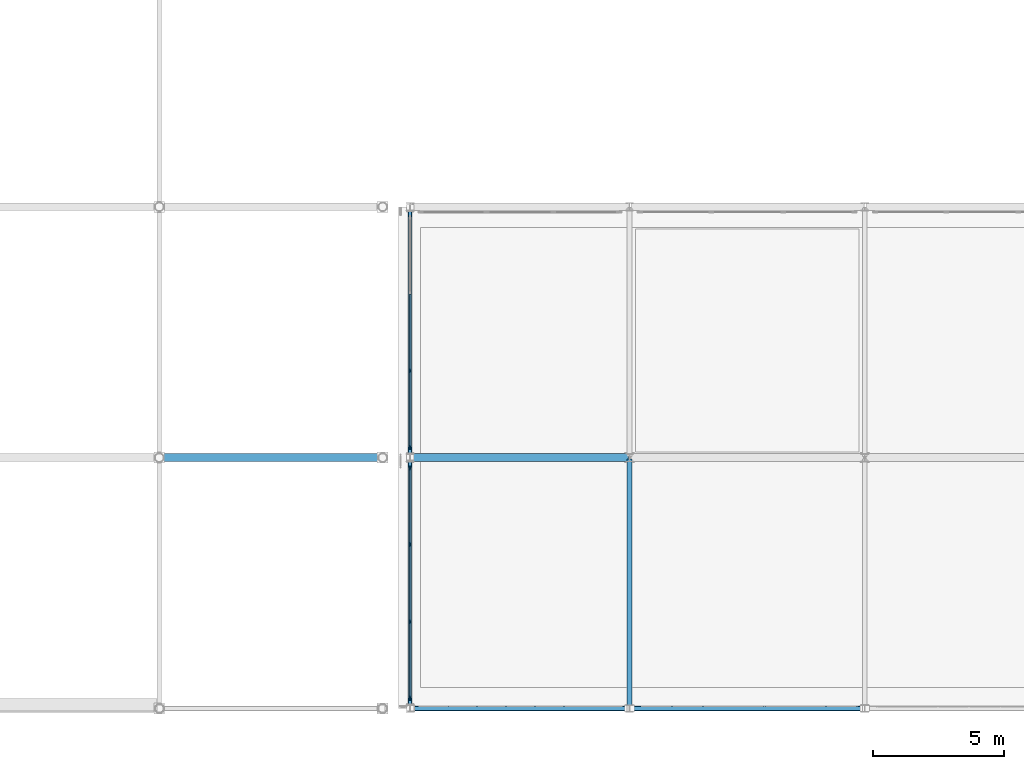
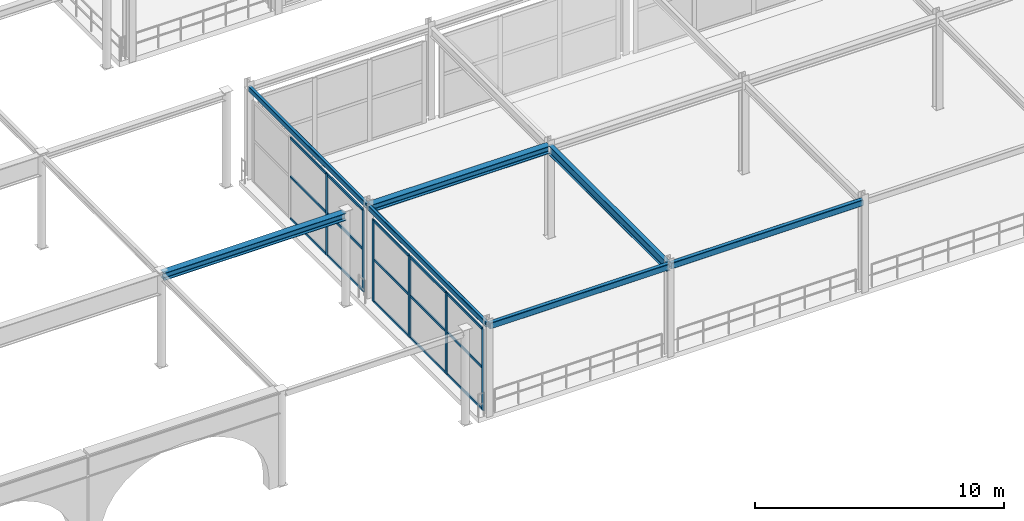
# One storey, part 30 of 125: 21 members, 7 beams, 2 elements without a shape of their own.
"""IFC4 building model written with IfcOpenShell, lengths in metres."""

from ifc_helpers import new_model, si_unit, direction, frame, origin, origin_2d, place, context, subcontext, project, spatial, rectangle, hollow_rectangle, i_section, extrude, material, layer, layer_set, material_profile, profile_set, type_object, element, aggregate, save


model = new_model("IFC4")

# Units and contexts
model_context = context("Model", 3, precision=1e-05, world=origin(), true_north=direction((0.0, 1.0)))
body_context = subcontext(model_context, "Body", "Model", "MODEL_VIEW")
ifc_project = project(units=[si_unit("LENGTHUNIT", "METRE"), si_unit("AREAUNIT", "SQUARE_METRE"), si_unit("VOLUMEUNIT", "CUBIC_METRE"), si_unit("PLANEANGLEUNIT", "RADIAN"), si_unit("MASSUNIT", "GRAM", prefix="KILO")], contexts=[model_context])

# Site, building, storey
site_placement = place(None, origin())
site = spatial("IfcSite", under=ifc_project, at=site_placement, CompositionType="ELEMENT")
building_placement = place(site_placement, origin())
building = spatial("IfcBuilding", under=site, at=building_placement, Name="Myrtia Square Station", CompositionType="ELEMENT")
storey_placement = place(building_placement, frame((0.0, 0.0, 6.0)))
storey = spatial("IfcBuildingStorey", under=building, at=storey_placement, Name="L01", CompositionType="ELEMENT", Elevation=6.0)

# Beams
ifc_material_1 = material(Name="Steel S355", Category="steel")
ifc_material_profile_1 = material_profile(ifc_material_1, i_section(OverallWidth=0.300048828125, OverallDepth=0.360107421875, WebThickness=0.012451171875, FlangeThickness=0.0224609375, FilletRadius=0.027099609375, at=origin_2d()), Name="HEB 360")
ifc_profile_set_1 = profile_set([ifc_material_profile_1], Name="Steel S355")
beam_type_1 = type_object("IfcBeamType", Name="BM-HEB360", PredefinedType="BEAM", material=ifc_profile_set_1)
beam_1_placement = place(storey_placement, frame((63.050048828125, 9.60009765625, 4.375), z_axis=(1.0, 0.0, 0.0), x_axis=(0.0, 1.0, 0.0)))
element("IfcBeam", 1, at=beam_1_placement, inside=storey, type_object=beam_type_1, Name="Structural girder BMX-L01-0461", PredefinedType="BEAM", context=body_context, shape_type="SweptSolid", body=[
    extrude(i_section(OverallWidth=0.300048828125, OverallDepth=0.360107421875, WebThickness=0.012451171875, FlangeThickness=0.0224609375, FilletRadius=0.027099609375, at=origin_2d()), origin(), (0.0, 0.0, 1.0), 8.449951171875),
])
beam_2_placement = place(storey_placement, frame((72.64990234375, 9.60009765625, 4.35498046875), z_axis=(1.0, 0.0, 0.0), x_axis=(0.0, 1.0, 0.0)))
element("IfcBeam", 2, at=beam_2_placement, inside=storey, type_object=beam_type_1, Name="Structural girder BMX-L01-0574", PredefinedType="BEAM", context=body_context, shape_type="SweptSolid", body=[
    extrude(i_section(OverallWidth=0.300048828125, OverallDepth=0.360107421875, WebThickness=0.012451171875, FlangeThickness=0.0224609375, FilletRadius=0.027099609375, at=origin_2d()), origin(), (0.0, 0.0, 1.0), 8.300048828125),
])
ifc_material_profile_2 = material_profile(ifc_material_1, i_section(OverallWidth=0.18994140625, OverallDepth=0.449951171875, WebThickness=0.009521484375, FlangeThickness=0.0146484375, FilletRadius=0.02099609375, at=origin_2d()), Name="IPE 450")
ifc_profile_set_2 = profile_set([ifc_material_profile_2], Name="Steel S355")
beam_type_2 = type_object("IfcBeamType", Name="BM-IPE450", PredefinedType="BEAM", material=ifc_profile_set_2)
beam_3_placement = place(storey_placement, frame((81.0, 0.050048828125, 4.31005859375), z_axis=(0.0, 1.0, 0.0), x_axis=(-1.0, 0.0, 0.0)))
element("IfcBeam", 3, at=beam_3_placement, inside=storey, type_object=beam_type_2, Name="Structural girder BMY-L01-0602", PredefinedType="BEAM", context=body_context, shape_type="SweptSolid", body=[
    extrude(i_section(OverallWidth=0.18994140625, OverallDepth=0.449951171875, WebThickness=0.009521484375, FlangeThickness=0.0146484375, FilletRadius=0.02099609375, at=origin_2d()), origin(), (0.0, 0.0, 1.0), 9.5),
])

# Curtain wall, members
ifc_material_2 = material(Name="Dark bronze anodised aluminium", Category="aluminium")
ifc_layer = layer(ifc_material_2, 0.159912109375, Name="Dark bronze anodised aluminium")
ifc_layer_set = layer_set([ifc_layer], Name="Dark bronze anodised aluminium")
curtain_wall_type = type_object("IfcCurtainWallType", Name="CW-TYPE-36-886x400", PredefinedType="USERDEFINED", material=ifc_layer_set)
curtain_wall_1_placement = place(storey_placement, origin())
curtain_wall_1 = element("IfcCurtainWall", 4, at=curtain_wall_1_placement, inside=storey, type_object=curtain_wall_type, Name="Concourse curtain wall CW-L01-114", ObjectType="CONCOURSE CURTAIN WALL", PredefinedType="USERDEFINED")
ifc_material_profile_3 = material_profile(ifc_material_2, rectangle(XDim=0.06005859375, YDim=0.159912109375, at=origin_2d()), Name="ALU-M 60x160")
ifc_profile_set_3 = profile_set([ifc_material_profile_3], Name="Dark bronze anodised aluminium")
member_type_1 = type_object("IfcMemberType", Name="CWM-60x160", PredefinedType="MULLION", material=ifc_profile_set_3)
member_1_placement = place(storey_placement, frame((72.60009765625, 0.39990234375, 0.0), z_axis=(0.0, 0.0, 1.0), x_axis=(-1.0, 0.0, 0.0)))
member_1 = element("IfcMember", 5, at=member_1_placement, type_object=member_type_1, Name="CW-114 mullion 1", PredefinedType="MULLION", context=body_context, shape_type="SweptSolid", body=[
    extrude(rectangle(XDim=0.06005859375, YDim=0.159912109375, at=origin_2d()), origin(), (0.0, 0.0, 1.0), 4.0),
])
member_2_placement = place(storey_placement, frame((72.60009765625, 3.3232421875, 0.0), z_axis=(0.0, 0.0, 1.0), x_axis=(-1.0, 0.0, 0.0)))
member_2 = element("IfcMember", 6, at=member_2_placement, type_object=member_type_1, Name="CW-114 mullion 2", PredefinedType="MULLION", context=body_context, shape_type="SweptSolid", body=[
    extrude(rectangle(XDim=0.06005859375, YDim=0.159912109375, at=origin_2d()), origin(), (0.0, 0.0, 1.0), 4.0),
])
member_3_placement = place(storey_placement, frame((72.60009765625, 6.276611328125, 0.0), z_axis=(0.0, 0.0, 1.0), x_axis=(-1.0, 0.0, 0.0)))
member_3 = element("IfcMember", 7, at=member_3_placement, type_object=member_type_1, Name="CW-114 mullion 3", PredefinedType="MULLION", context=body_context, shape_type="SweptSolid", body=[
    extrude(rectangle(XDim=0.06005859375, YDim=0.159912109375, at=origin_2d()), origin(), (0.0, 0.0, 1.0), 4.0),
])
member_4_placement = place(storey_placement, frame((72.60009765625, 9.199951171875, 0.0), z_axis=(0.0, 0.0, 1.0), x_axis=(-1.0, 0.0, 0.0)))
member_4 = element("IfcMember", 8, at=member_4_placement, type_object=member_type_1, Name="CW-114 mullion 4", PredefinedType="MULLION", context=body_context, shape_type="SweptSolid", body=[
    extrude(rectangle(XDim=0.06005859375, YDim=0.159912109375, at=origin_2d()), origin(), (0.0, 0.0, 1.0), 4.0),
])

curtain_wall_2_placement = place(storey_placement, origin())
curtain_wall_2 = element("IfcCurtainWall", 9, at=curtain_wall_2_placement, inside=storey, type_object=curtain_wall_type, Name="Concourse curtain wall CW-L01-115", ObjectType="CONCOURSE CURTAIN WALL", PredefinedType="USERDEFINED")
member_5_placement = place(storey_placement, frame((72.60009765625, 10.0, 0.0), z_axis=(0.0, 0.0, 1.0), x_axis=(-1.0, 0.0, 0.0)))
member_5 = element("IfcMember", 10, at=member_5_placement, type_object=member_type_1, Name="CW-115 mullion 1", PredefinedType="MULLION", context=body_context, shape_type="SweptSolid", body=[
    extrude(rectangle(XDim=0.06005859375, YDim=0.159912109375, at=origin_2d()), origin(), (0.0, 0.0, 1.0), 4.0),
])
member_6_placement = place(storey_placement, frame((72.60009765625, 12.92333984375, 0.0), z_axis=(0.0, 0.0, 1.0), x_axis=(-1.0, 0.0, 0.0)))
member_6 = element("IfcMember", 11, at=member_6_placement, type_object=member_type_1, Name="CW-115 mullion 2", PredefinedType="MULLION", context=body_context, shape_type="SweptSolid", body=[
    extrude(rectangle(XDim=0.06005859375, YDim=0.159912109375, at=origin_2d()), origin(), (0.0, 0.0, 1.0), 4.0),
])

# Member
ifc_material_profile_4 = material_profile(ifc_material_2, rectangle(XDim=0.06005859375, YDim=0.1201171875, at=origin_2d()), Name="ALU-T 60x120")
ifc_profile_set_4 = profile_set([ifc_material_profile_4], Name="Dark bronze anodised aluminium")
member_type_2 = type_object("IfcMemberType", Name="CWT-60x120", PredefinedType="USERDEFINED", material=ifc_profile_set_4)
member_7_placement = place(storey_placement, frame((72.60009765625, 0.429931640625, 0.030029296875), z_axis=(0.0, 1.0, 0.0), x_axis=(-1.0, 0.0, 0.0)))
member_7 = element("IfcMember", 12, at=member_7_placement, type_object=member_type_2, Name="CW-114 transom 1.1", ObjectType="TRANSOM", PredefinedType="USERDEFINED", context=body_context, shape_type="SweptSolid", body=[
    extrude(rectangle(XDim=0.06005859375, YDim=0.1201171875, at=origin_2d()), origin(), (0.0, 0.0, 1.0), 2.86328125),
])

member_8_placement = place(storey_placement, frame((72.60009765625, 0.429931640625, 2.080078125), z_axis=(0.0, 1.0, 0.0), x_axis=(-1.0, 0.0, 0.0)))
member_8 = element("IfcMember", 13, at=member_8_placement, type_object=member_type_2, Name="CW-114 transom 1.2", ObjectType="TRANSOM", PredefinedType="USERDEFINED", context=body_context, shape_type="SweptSolid", body=[
    extrude(rectangle(XDim=0.06005859375, YDim=0.1201171875, at=origin_2d()), origin(), (0.0, 0.0, 1.0), 2.86328125),
])

member_9_placement = place(storey_placement, frame((72.60009765625, 0.429931640625, 3.969970703125), z_axis=(0.0, 1.0, 0.0), x_axis=(-1.0, 0.0, 0.0)))
member_9 = element("IfcMember", 14, at=member_9_placement, type_object=member_type_2, Name="CW-114 transom 1.3", ObjectType="TRANSOM", PredefinedType="USERDEFINED", context=body_context, shape_type="SweptSolid", body=[
    extrude(rectangle(XDim=0.06005859375, YDim=0.1201171875, at=origin_2d()), origin(), (0.0, 0.0, 1.0), 2.86328125),
])

member_10_placement = place(storey_placement, frame((72.60009765625, 3.353271484375, 0.030029296875), z_axis=(0.0, 1.0, 0.0), x_axis=(-1.0, 0.0, 0.0)))
member_10 = element("IfcMember", 15, at=member_10_placement, type_object=member_type_2, Name="CW-114 transom 2.1", ObjectType="TRANSOM", PredefinedType="USERDEFINED", context=body_context, shape_type="SweptSolid", body=[
    extrude(rectangle(XDim=0.06005859375, YDim=0.1201171875, at=origin_2d()), origin(), (0.0, 0.0, 1.0), 2.893310546875),
])

member_11_placement = place(storey_placement, frame((72.60009765625, 3.353271484375, 2.080078125), z_axis=(0.0, 1.0, 0.0), x_axis=(-1.0, 0.0, 0.0)))
member_11 = element("IfcMember", 16, at=member_11_placement, type_object=member_type_2, Name="CW-114 transom 2.2", ObjectType="TRANSOM", PredefinedType="USERDEFINED", context=body_context, shape_type="SweptSolid", body=[
    extrude(rectangle(XDim=0.06005859375, YDim=0.1201171875, at=origin_2d()), origin(), (0.0, 0.0, 1.0), 2.893310546875),
])

member_12_placement = place(storey_placement, frame((72.60009765625, 3.353271484375, 3.969970703125), z_axis=(0.0, 1.0, 0.0), x_axis=(-1.0, 0.0, 0.0)))
member_12 = element("IfcMember", 17, at=member_12_placement, type_object=member_type_2, Name="CW-114 transom 2.3", ObjectType="TRANSOM", PredefinedType="USERDEFINED", context=body_context, shape_type="SweptSolid", body=[
    extrude(rectangle(XDim=0.06005859375, YDim=0.1201171875, at=origin_2d()), origin(), (0.0, 0.0, 1.0), 2.893310546875),
])

member_13_placement = place(storey_placement, frame((72.60009765625, 6.306640625, 0.030029296875), z_axis=(0.0, 1.0, 0.0), x_axis=(-1.0, 0.0, 0.0)))
member_13 = element("IfcMember", 18, at=member_13_placement, type_object=member_type_2, Name="CW-114 transom 3.1", ObjectType="TRANSOM", PredefinedType="USERDEFINED", context=body_context, shape_type="SweptSolid", body=[
    extrude(rectangle(XDim=0.06005859375, YDim=0.1201171875, at=origin_2d()), origin(), (0.0, 0.0, 1.0), 2.86328125),
])

member_14_placement = place(storey_placement, frame((72.60009765625, 6.306640625, 2.080078125), z_axis=(0.0, 1.0, 0.0), x_axis=(-1.0, 0.0, 0.0)))
member_14 = element("IfcMember", 19, at=member_14_placement, type_object=member_type_2, Name="CW-114 transom 3.2", ObjectType="TRANSOM", PredefinedType="USERDEFINED", context=body_context, shape_type="SweptSolid", body=[
    extrude(rectangle(XDim=0.06005859375, YDim=0.1201171875, at=origin_2d()), origin(), (0.0, 0.0, 1.0), 2.86328125),
])

member_15_placement = place(storey_placement, frame((72.60009765625, 6.306640625, 3.969970703125), z_axis=(0.0, 1.0, 0.0), x_axis=(-1.0, 0.0, 0.0)))
member_15 = element("IfcMember", 20, at=member_15_placement, type_object=member_type_2, Name="CW-114 transom 3.3", ObjectType="TRANSOM", PredefinedType="USERDEFINED", context=body_context, shape_type="SweptSolid", body=[
    extrude(rectangle(XDim=0.06005859375, YDim=0.1201171875, at=origin_2d()), origin(), (0.0, 0.0, 1.0), 2.86328125),
])

aggregate(curtain_wall_1, [member_1, member_2, member_3, member_4, member_7, member_8, member_9, member_10, member_11, member_12, member_13, member_14, member_15])

member_16_placement = place(storey_placement, frame((72.60009765625, 10.030029296875, 0.030029296875), z_axis=(0.0, 1.0, 0.0), x_axis=(-1.0, 0.0, 0.0)))
member_16 = element("IfcMember", 21, at=member_16_placement, type_object=member_type_2, Name="CW-115 transom 1.1", ObjectType="TRANSOM", PredefinedType="USERDEFINED", context=body_context, shape_type="SweptSolid", body=[
    extrude(rectangle(XDim=0.06005859375, YDim=0.1201171875, at=origin_2d()), origin(), (0.0, 0.0, 1.0), 2.86328125),
])

member_17_placement = place(storey_placement, frame((72.60009765625, 10.030029296875, 2.080078125), z_axis=(0.0, 1.0, 0.0), x_axis=(-1.0, 0.0, 0.0)))
member_17 = element("IfcMember", 22, at=member_17_placement, type_object=member_type_2, Name="CW-115 transom 1.2", ObjectType="TRANSOM", PredefinedType="USERDEFINED", context=body_context, shape_type="SweptSolid", body=[
    extrude(rectangle(XDim=0.06005859375, YDim=0.1201171875, at=origin_2d()), origin(), (0.0, 0.0, 1.0), 2.86328125),
])

member_18_placement = place(storey_placement, frame((72.60009765625, 10.030029296875, 3.969970703125), z_axis=(0.0, 1.0, 0.0), x_axis=(-1.0, 0.0, 0.0)))
member_18 = element("IfcMember", 23, at=member_18_placement, type_object=member_type_2, Name="CW-115 transom 1.3", ObjectType="TRANSOM", PredefinedType="USERDEFINED", context=body_context, shape_type="SweptSolid", body=[
    extrude(rectangle(XDim=0.06005859375, YDim=0.1201171875, at=origin_2d()), origin(), (0.0, 0.0, 1.0), 2.86328125),
])

member_19_placement = place(storey_placement, frame((72.60009765625, 12.953369140625, 0.030029296875), z_axis=(0.0, 1.0, 0.0), x_axis=(-1.0, 0.0, 0.0)))
member_19 = element("IfcMember", 24, at=member_19_placement, type_object=member_type_2, Name="CW-115 transom 2.1", ObjectType="TRANSOM", PredefinedType="USERDEFINED", context=body_context, shape_type="SweptSolid", body=[
    extrude(rectangle(XDim=0.06005859375, YDim=0.1201171875, at=origin_2d()), origin(), (0.0, 0.0, 1.0), 2.893310546875),
])

member_20_placement = place(storey_placement, frame((72.60009765625, 12.953369140625, 2.080078125), z_axis=(0.0, 1.0, 0.0), x_axis=(-1.0, 0.0, 0.0)))
member_20 = element("IfcMember", 25, at=member_20_placement, type_object=member_type_2, Name="CW-115 transom 2.2", ObjectType="TRANSOM", PredefinedType="USERDEFINED", context=body_context, shape_type="SweptSolid", body=[
    extrude(rectangle(XDim=0.06005859375, YDim=0.1201171875, at=origin_2d()), origin(), (0.0, 0.0, 1.0), 2.893310546875),
])

member_21_placement = place(storey_placement, frame((72.60009765625, 12.953369140625, 3.969970703125), z_axis=(0.0, 1.0, 0.0), x_axis=(-1.0, 0.0, 0.0)))
member_21 = element("IfcMember", 26, at=member_21_placement, type_object=member_type_2, Name="CW-115 transom 2.3", ObjectType="TRANSOM", PredefinedType="USERDEFINED", context=body_context, shape_type="SweptSolid", body=[
    extrude(rectangle(XDim=0.06005859375, YDim=0.1201171875, at=origin_2d()), origin(), (0.0, 0.0, 1.0), 2.893310546875),
])

aggregate(curtain_wall_2, [member_5, member_6, member_16, member_17, member_18, member_19, member_20, member_21])

# Beams
ifc_material_profile_5 = material_profile(ifc_material_1, hollow_rectangle(XDim=0.14990234375, YDim=0.25, WallThickness=0.012451171875, InnerFilletRadius=0.012451171875, OuterFilletRadius=0.02490234375, at=origin_2d()), Name="RHS 250x150x12.5")
ifc_profile_set_5 = profile_set([ifc_material_profile_5], Name="Steel S355")
beam_type_3 = type_object("IfcBeamType", Name="SPN-RHS250", PredefinedType="SPANDREL", material=ifc_profile_set_5)
for number, where, z_axis, x_axis, name in (
    (27, (72.60009765625, 0.050048828125, 4.409912109375), (0.0, 1.0, 0.0), (-1.0, 0.0, 0.0), "Structural girder SPNY-L01-0170"),
    (28, (72.60009765625, 9.64990234375, 4.409912109375), (0.0, 1.0, 0.0), (-1.0, 0.0, 0.0), "Structural girder SPNY-L01-0171"),
):
    element("IfcBeam", number, at=place(storey_placement, frame(where, z_axis=z_axis, x_axis=x_axis)), inside=storey, type_object=beam_type_3, Name=name, PredefinedType="SPANDREL", context=body_context, shape_type="SweptSolid", body=[
        extrude(hollow_rectangle(XDim=0.14990234375, YDim=0.25, WallThickness=0.012451171875, InnerFilletRadius=0.012451171875, OuterFilletRadius=0.02490234375, at=origin_2d()), origin(), (0.0, 0.0, 1.0), 9.5),
    ])
ifc_material_profile_6 = material_profile(ifc_material_1, hollow_rectangle(XDim=0.199951171875, YDim=0.300048828125, WallThickness=0.01611328125, InnerFilletRadius=0.01611328125, OuterFilletRadius=0.031982421875, at=origin_2d()), Name="RHS 300x200x16")
ifc_profile_set_6 = profile_set([ifc_material_profile_6], Name="Steel S355")
beam_type_4 = type_object("IfcBeamType", Name="SPN-RHS300", PredefinedType="SPANDREL", material=ifc_profile_set_6)
beam_4_placement = place(storey_placement, frame((72.64990234375, 0.0, 4.385009765625), z_axis=(1.0, 0.0, 0.0), x_axis=(0.0, 1.0, 0.0)))
element("IfcBeam", 29, at=beam_4_placement, inside=storey, type_object=beam_type_4, Name="Structural girder SPN-L01-0151", PredefinedType="SPANDREL", context=body_context, shape_type="SweptSolid", body=[
    extrude(hollow_rectangle(XDim=0.199951171875, YDim=0.300048828125, WallThickness=0.01611328125, InnerFilletRadius=0.01611328125, OuterFilletRadius=0.031982421875, at=origin_2d()), origin(), (0.0, 0.0, 1.0), 8.300048828125),
])
beam_5_placement = place(storey_placement, frame((81.050048828125, 0.0, 4.385009765625), z_axis=(1.0, 0.0, 0.0), x_axis=(0.0, 1.0, 0.0)))
element("IfcBeam", 30, at=beam_5_placement, inside=storey, type_object=beam_type_4, Name="Structural girder SPN-L01-0152", PredefinedType="SPANDREL", context=body_context, shape_type="SweptSolid", body=[
    extrude(hollow_rectangle(XDim=0.199951171875, YDim=0.300048828125, WallThickness=0.01611328125, InnerFilletRadius=0.01611328125, OuterFilletRadius=0.031982421875, at=origin_2d()), origin(), (0.0, 0.0, 1.0), 8.89990234375),
])

save(model, "model.ifc")
